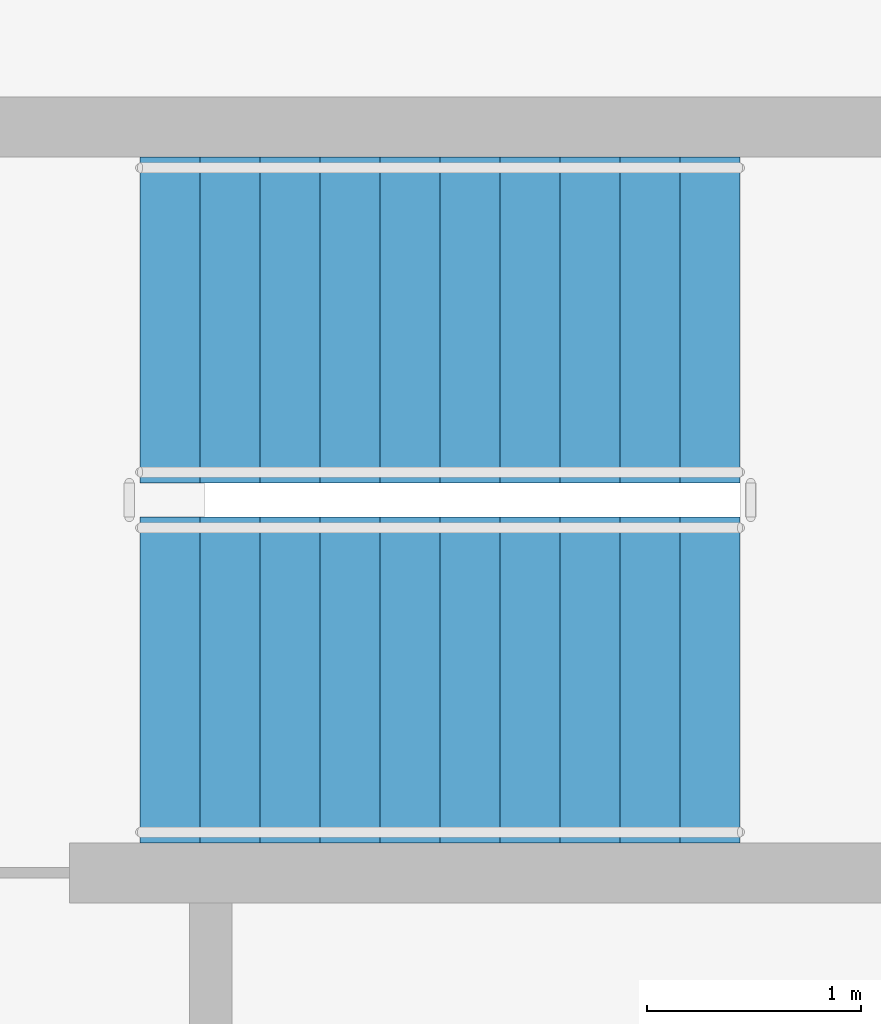
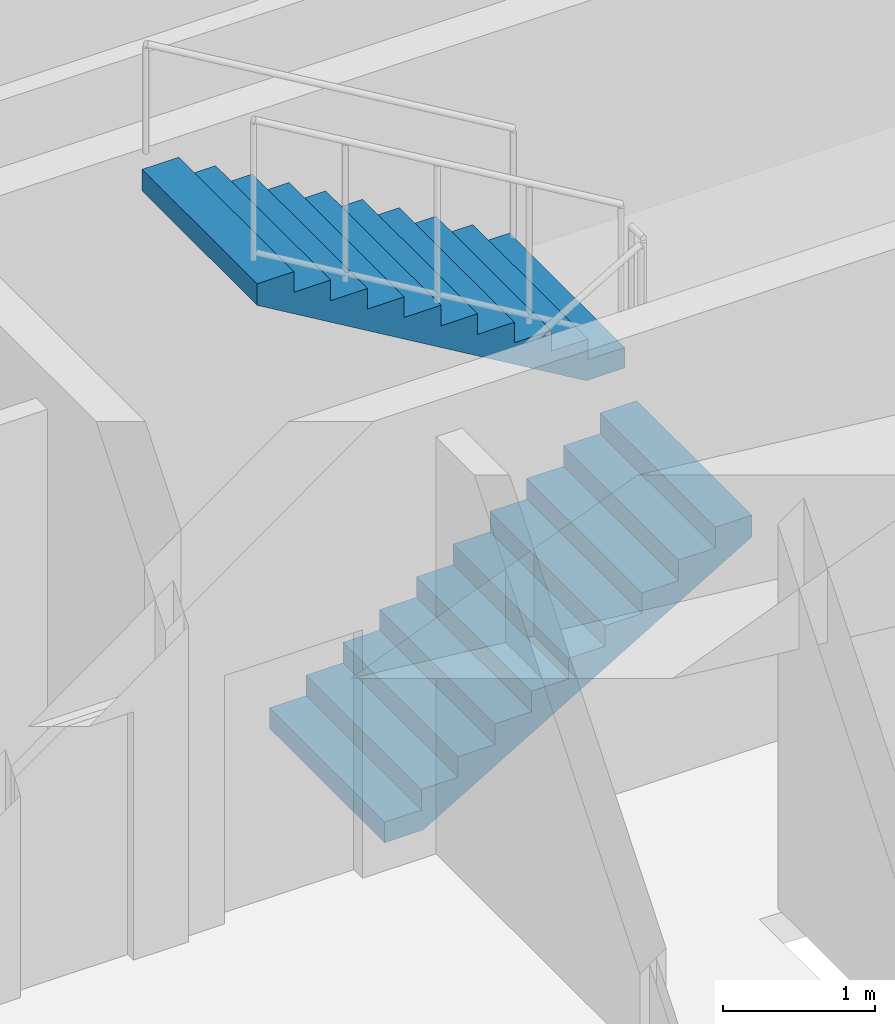
# One storey, part 6 of 7: 2 stair flights, 1 element without a shape of its own.
"""IFC4 building model written with IfcOpenShell, lengths in metres."""

from ifc_helpers import new_model, si_unit, direction, frame, origin, place, context, subcontext, project, spatial, polyline, outline, extrude, material, type_object, element, aggregate, save


model = new_model("IFC4")

# Units and contexts
model_context = context("Model", 3, precision=1e-05, world=origin(), true_north=direction((0.0, 1.0)))
body_context = subcontext(model_context, "Body", "Model", "MODEL_VIEW")
ifc_project = project(units=[si_unit("LENGTHUNIT", "METRE"), si_unit("AREAUNIT", "SQUARE_METRE"), si_unit("VOLUMEUNIT", "CUBIC_METRE"), si_unit("PLANEANGLEUNIT", "RADIAN"), si_unit("MASSUNIT", "GRAM", prefix="KILO"), si_unit("THERMODYNAMICTEMPERATUREUNIT", "KELVIN"), si_unit("POWERUNIT", "WATT")], contexts=[model_context])

# Site, building, storey
site_placement = place(None, origin())
site = spatial("IfcSite", under=ifc_project, at=site_placement, CompositionType="ELEMENT")
building_placement = place(site_placement, origin())
building = spatial("IfcBuilding", under=site, at=building_placement, Name="Skarre Station Tower", CompositionType="ELEMENT")
storey_placement = place(building_placement, frame((0.0, 0.0, 48.89990234375)))
storey = spatial("IfcBuildingStorey", under=building, at=storey_placement, Name="L12", CompositionType="ELEMENT", Elevation=48.89990234375)

# Stair, stair flights
ifc_material = material(Name="Concrete C40/50", Category="concrete")
stair_type = type_object("IfcStairType", Name="Reinforced Concrete Exit Stair ST-3", PredefinedType="HALF_TURN_STAIR", material=ifc_material)
stair_placement = place(storey_placement, origin())
stair = element("IfcStair", 1, at=stair_placement, inside=storey, type_object=stair_type, Name="L12 Core Exit Stair ST-3", PredefinedType="HALF_TURN_STAIR")
stair_flight_type = type_object("IfcStairFlightType", Name="Reinforced Concrete Stair Flight ST-3", PredefinedType="STRAIGHT", material=ifc_material)
stair_flight_1_placement = place(storey_placement, frame((23.35009765625, 32.260009765625, 0.0), z_axis=(0.0, 0.0, 1.0), x_axis=(1.0, 0.0, 0.0)))
stair_flight_1 = element("IfcStairFlight", 2, at=stair_flight_1_placement, type_object=stair_flight_type, Name="ST-3 flight 1", NumberOfRisers=11, NumberOfTreads=10, PredefinedType="STRAIGHT", RiserHeight=0.165909091, TreadLength=0.28, context=body_context, shape_type="SweptSolid", body=[
    extrude(outline(polyline([(0.0, 0.0), (0.0, 0.166015625), (0.280029296875, 0.166015625), (0.280029296875, 0.331787109375), (0.56005859375, 0.331787109375), (0.56005859375, 0.497802734375), (0.840087890625, 0.497802734375), (0.840087890625, 0.66357421875), (1.1201171875, 0.66357421875), (1.1201171875, 0.82958984375), (1.39990234375, 0.82958984375), (1.39990234375, 0.995361328125), (1.679931640625, 0.995361328125), (1.679931640625, 1.161376953125), (1.9599609375, 1.161376953125), (1.9599609375, 1.327392578125), (2.239990234375, 1.327392578125), (2.239990234375, 1.4931640625), (2.52001953125, 1.4931640625), (2.52001953125, 1.6591796875), (2.800048828125, 1.6591796875), (2.800048828125, 1.824951171875), (2.800048828125, 1.48486328125), (0.2939453125, 0.0), (0.0, 0.0)])), frame((0.0, 0.760009765625, 0.0), z_axis=(0.0, -1.0, 0.0), x_axis=(1.0, 0.0, 0.0)), (0.0, 0.0, 1.0), 1.52001953125),
])
stair_flight_2_placement = place(storey_placement, frame((26.14990234375, 33.93994140625, 1.8251953125), z_axis=(0.0, 0.0, 1.0), x_axis=(-1.0, 0.0, 0.0)))
stair_flight_2 = element("IfcStairFlight", 3, at=stair_flight_2_placement, type_object=stair_flight_type, Name="ST-3 flight 2", NumberOfRisers=11, NumberOfTreads=10, PredefinedType="STRAIGHT", RiserHeight=0.165909091, TreadLength=0.28, context=body_context, shape_type="SweptSolid", body=[
    extrude(outline(polyline([(0.0, 0.0), (0.0, 0.166015625), (0.280029296875, 0.166015625), (0.280029296875, 0.331787109375), (0.56005859375, 0.331787109375), (0.56005859375, 0.497802734375), (0.840087890625, 0.497802734375), (0.840087890625, 0.66357421875), (1.1201171875, 0.66357421875), (1.1201171875, 0.82958984375), (1.39990234375, 0.82958984375), (1.39990234375, 0.995361328125), (1.679931640625, 0.995361328125), (1.679931640625, 1.161376953125), (1.9599609375, 1.161376953125), (1.9599609375, 1.327392578125), (2.239990234375, 1.327392578125), (2.239990234375, 1.4931640625), (2.52001953125, 1.4931640625), (2.52001953125, 1.6591796875), (2.800048828125, 1.6591796875), (2.800048828125, 1.824951171875), (2.800048828125, 1.48486328125), (0.2939453125, 0.0), (0.0, 0.0)])), frame((0.0, 0.760009765625, 0.0), z_axis=(0.0, -1.0, 0.0), x_axis=(1.0, 0.0, 0.0)), (0.0, 0.0, 1.0), 1.52001953125),
])
aggregate(stair, [stair_flight_1, stair_flight_2])

save(model, "model.ifc")
